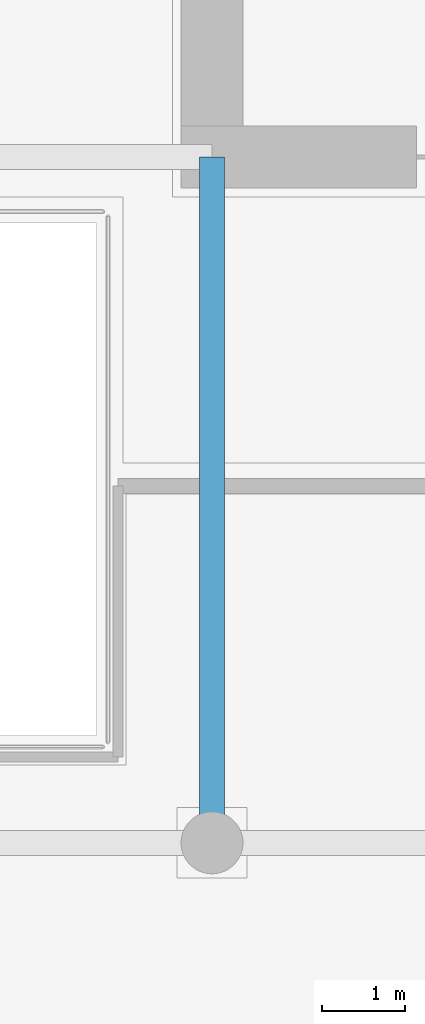
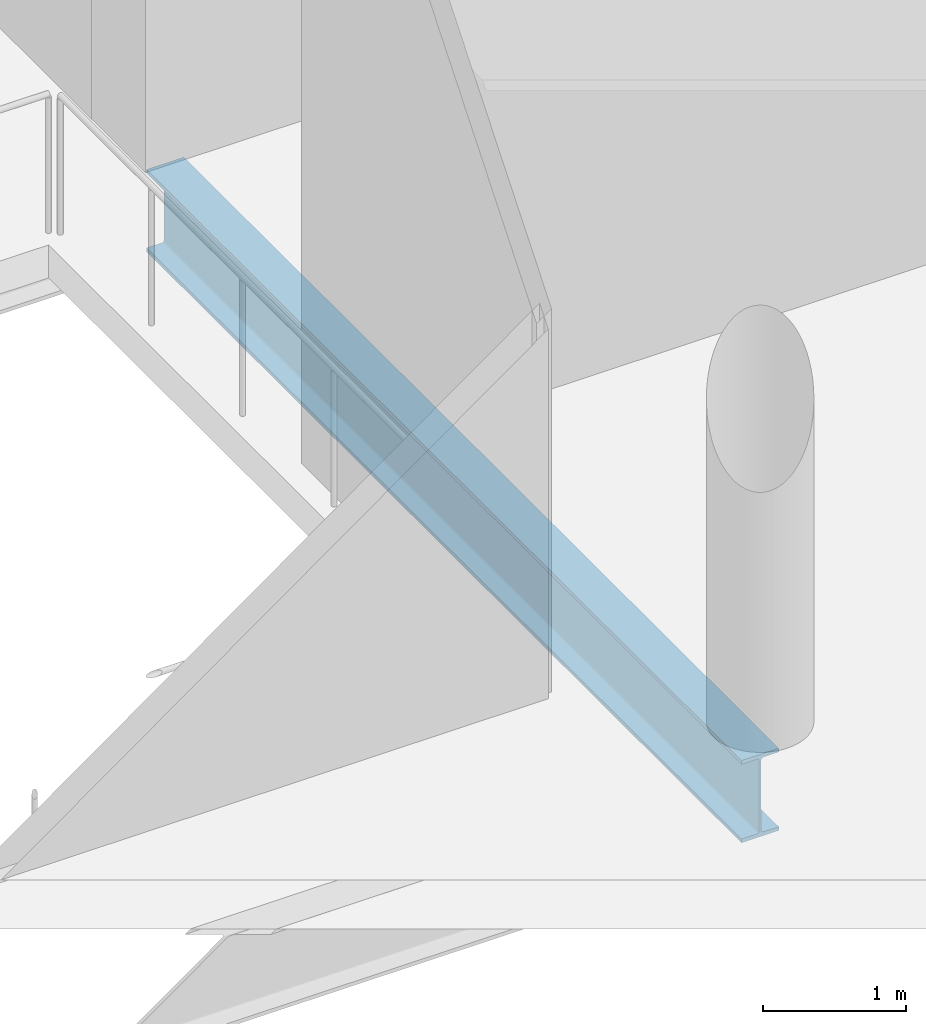
# One storey, part 5 of 43: 1 beam.
"""IFC4 building model written with IfcOpenShell, lengths in metres."""

from ifc_helpers import new_model, si_unit, direction, frame, origin, origin_2d, place, context, subcontext, project, spatial, i_section, extrude, material, material_profile, profile_set, type_object, element, save


model = new_model("IFC4")

# Units and contexts
model_context = context("Model", 3, precision=1e-05, world=origin(), true_north=direction((0.0, 1.0)))
body_context = subcontext(model_context, "Body", "Model", "MODEL_VIEW")
ifc_project = project(units=[si_unit("LENGTHUNIT", "METRE"), si_unit("AREAUNIT", "SQUARE_METRE"), si_unit("VOLUMEUNIT", "CUBIC_METRE"), si_unit("PLANEANGLEUNIT", "RADIAN"), si_unit("MASSUNIT", "GRAM", prefix="KILO")], contexts=[model_context])

# Site, building, storey
site_placement = place(None, origin())
site = spatial("IfcSite", under=ifc_project, at=site_placement, CompositionType="ELEMENT")
building_placement = place(site_placement, origin())
building = spatial("IfcBuilding", under=site, at=building_placement, Name="Punatoya Terracotta Tower", CompositionType="ELEMENT")
storey_placement = place(building_placement, frame((0.0, 0.0, 6.0)))
storey = spatial("IfcBuildingStorey", under=building, at=storey_placement, Name="L01", CompositionType="ELEMENT", Elevation=6.0)

# Beam
ifc_material = material(Name="Steel S355", Category="steel")
ifc_material_profile = material_profile(ifc_material, i_section(OverallWidth=0.300048828125, OverallDepth=0.699951171875, WebThickness=0.01708984375, FlangeThickness=0.031982421875, FilletRadius=0.01806640625, at=origin_2d()))
ifc_profile_set = profile_set([ifc_material_profile], Name="Steel S355")
beam_type = type_object("IfcBeamType", Name="BM-PRI-700", PredefinedType="BEAM", material=ifc_profile_set)
beam_placement = place(storey_placement, frame((-10.199951171875, -17.5, -0.6298828125), z_axis=(0.0, 1.0, 0.0), x_axis=(-1.0, 0.0, 0.0)))
element("IfcBeam", 1, at=beam_placement, inside=storey, type_object=beam_type, Name="BM-L01-PR-S1", PredefinedType="BEAM", context=body_context, shape_type="SweptSolid", body=[
    extrude(i_section(OverallWidth=0.300048828125, OverallDepth=0.699951171875, WebThickness=0.01708984375, FlangeThickness=0.031982421875, FilletRadius=0.01806640625, at=origin_2d()), origin(), (0.0, 0.0, 1.0), 8.300048828125),
])

save(model, "model.ifc")
